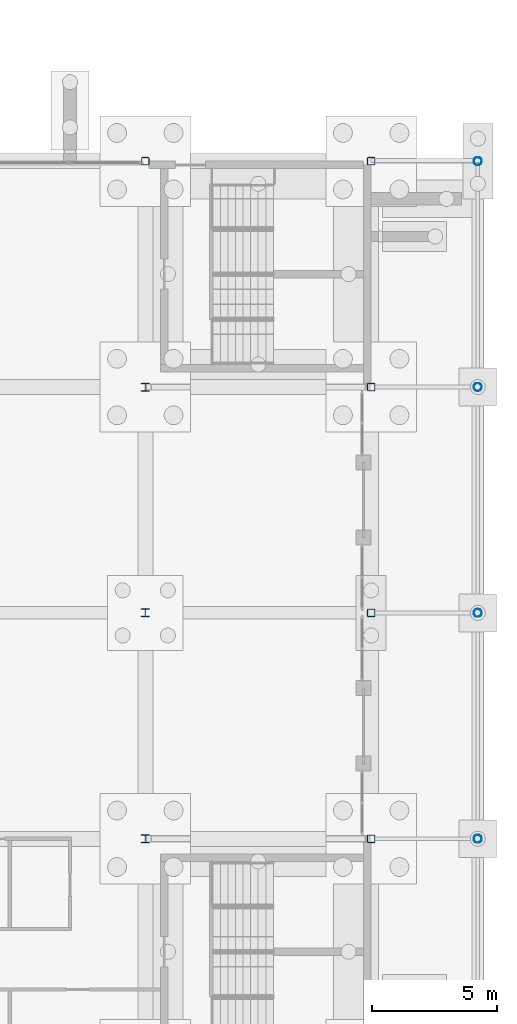
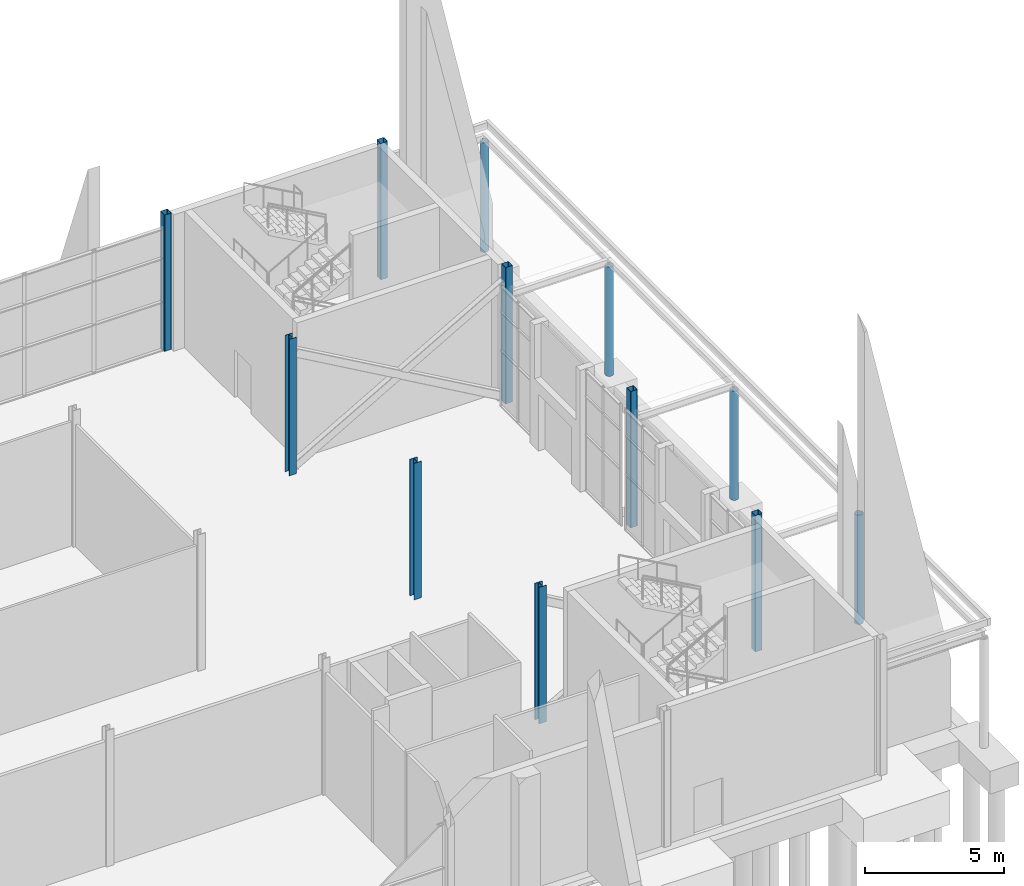
# One storey, part 36 of 139: 12 columns.
"""IFC4 building model written with IfcOpenShell, lengths in metres."""

from ifc_helpers import new_model, si_unit, direction, frame, origin, origin_2d, place, context, subcontext, project, spatial, hollow_rectangle, hollow_circle, i_section, extrude, material, material_profile, profile_set, type_object, element, save


model = new_model("IFC4")

# Units and contexts
model_context = context("Model", 3, precision=1e-05, world=origin(), true_north=direction((0.0, 1.0)))
body_context = subcontext(model_context, "Body", "Model", "MODEL_VIEW")
ifc_project = project(units=[si_unit("LENGTHUNIT", "METRE"), si_unit("AREAUNIT", "SQUARE_METRE"), si_unit("VOLUMEUNIT", "CUBIC_METRE"), si_unit("PLANEANGLEUNIT", "RADIAN"), si_unit("MASSUNIT", "GRAM", prefix="KILO")], contexts=[model_context])

# Site, building, storey
site_placement = place(None, origin())
site = spatial("IfcSite", under=ifc_project, at=site_placement, CompositionType="ELEMENT")
building_placement = place(site_placement, origin())
building = spatial("IfcBuilding", under=site, at=building_placement, Name="Shorebreak Coast Museum", CompositionType="ELEMENT")
storey_placement = place(building_placement, origin())
storey = spatial("IfcBuildingStorey", under=building, at=storey_placement, Name="L00", CompositionType="ELEMENT", Elevation=0.0)

# Columns
ifc_material_1 = material(Name="Steel Grade C350L0", Category="steel")
ifc_material_profile_1 = material_profile(ifc_material_1, hollow_circle(Radius=0.161865234375, WallThickness=0.009521484375, at=origin_2d()), Name="323.9x9.5 CHS")
ifc_profile_set_1 = profile_set([ifc_material_profile_1], Name="Steel Grade C350L0")
column_type_1 = type_object("IfcColumnType", Name="Arcade column 323.9x9.5 CHS", PredefinedType="COLUMN", material=ifc_profile_set_1)
for number, where, z_axis, x_axis, name in (
    (1, (175.25, 63.0, -0.300048828125), (0.0, 0.0, 1.0), (1.0, 0.0, 0.0), "Arcade column east 2"),
    (2, (175.25, 72.0, -0.300048828125), (0.0, 0.0, 1.0), (1.0, 0.0, 0.0), "Arcade column east 3"),
    (3, (175.25, 81.0, -0.300048828125), (0.0, 0.0, 1.0), (1.0, 0.0, 0.0), "Arcade column east 4"),
    (4, (175.25, 90.0, -0.300048828125), (0.0, 0.0, 1.0), (1.0, 0.0, 0.0), "Arcade column east 5"),
):
    element("IfcColumn", number, at=place(storey_placement, frame(where, z_axis=z_axis, x_axis=x_axis)), inside=storey, type_object=column_type_1, Name=name, PredefinedType="COLUMN", context=body_context, shape_type="SweptSolid", body=[
        extrude(hollow_circle(Radius=0.161865234375, WallThickness=0.009521484375, at=origin_2d()), origin(), (0.0, 0.0, 1.0), 4.802001953125),
    ])
ifc_material_2 = material(Name="Steel Grade C450L0", Category="steel")
ifc_material_profile_2 = material_profile(ifc_material_2, hollow_rectangle(XDim=0.300048828125, YDim=0.300048828125, WallThickness=0.012451171875, InnerFilletRadius=0.018798828125, OuterFilletRadius=0.03125, at=origin_2d()), Name="300x300x12.5 SHS")
ifc_profile_set_2 = profile_set([ifc_material_profile_2], Name="Steel Grade C450L0")
column_type_2 = type_object("IfcColumnType", Name="Column 300x300x12.5 SHS", PredefinedType="COLUMN", material=ifc_profile_set_2)
for number, where, z_axis, x_axis, name in (
    (5, (171.0, 63.0, 0.0), (0.0, 0.0, 1.0), (1.0, 0.0, 0.0), "Column L00 20H"),
    (6, (171.0, 72.0, 0.0), (0.0, 0.0, 1.0), (1.0, 0.0, 0.0), "Column L00 20J"),
    (7, (171.0, 81.0, 0.0), (0.0, 0.0, 1.0), (1.0, 0.0, 0.0), "Column L00 20K"),
    (8, (162.0, 90.0, 0.0), (0.0, 0.0, 1.0), (1.0, 0.0, 0.0), "Column L00 19L"),
    (9, (171.0, 90.0, 0.0), (0.0, 0.0, 1.0), (1.0, 0.0, 0.0), "Column L00 20L"),
):
    element("IfcColumn", number, at=place(storey_placement, frame(where, z_axis=z_axis, x_axis=x_axis)), inside=storey, type_object=column_type_2, Name=name, PredefinedType="COLUMN", context=body_context, shape_type="SweptSolid", body=[
        extrude(hollow_rectangle(XDim=0.300048828125, YDim=0.300048828125, WallThickness=0.012451171875, InnerFilletRadius=0.018798828125, OuterFilletRadius=0.03125, at=origin_2d()), origin(), (0.0, 0.0, 1.0), 6.0),
    ])
ifc_material_3 = material(Name="Steel Grade 300", Category="steel")
ifc_material_profile_3 = material_profile(ifc_material_3, i_section(OverallWidth=0.30908203125, OverallDepth=0.320556640625, WebThickness=0.013916015625, FlangeThickness=0.021728515625, FilletRadius=0.0166015625, at=origin_2d()), Name="310UC137")
ifc_profile_set_3 = profile_set([ifc_material_profile_3], Name="Steel Grade 300")
column_type_3 = type_object("IfcColumnType", Name="Column 310UC137", PredefinedType="COLUMN", material=ifc_profile_set_3)
for number, where, z_axis, x_axis, name in (
    (10, (162.0, 63.0, 0.0), (0.0, 0.0, 1.0), (1.0, 0.0, 0.0), "Column L00 19H"),
    (11, (162.0, 72.0, 0.0), (0.0, 0.0, 1.0), (1.0, 0.0, 0.0), "Column L00 19J"),
    (12, (162.0, 81.0, 0.0), (0.0, 0.0, 1.0), (1.0, 0.0, 0.0), "Column L00 19K"),
):
    element("IfcColumn", number, at=place(storey_placement, frame(where, z_axis=z_axis, x_axis=x_axis)), inside=storey, type_object=column_type_3, Name=name, PredefinedType="COLUMN", context=body_context, shape_type="SweptSolid", body=[
        extrude(i_section(OverallWidth=0.30908203125, OverallDepth=0.320556640625, WebThickness=0.013916015625, FlangeThickness=0.021728515625, FilletRadius=0.0166015625, at=origin_2d()), origin(), (0.0, 0.0, 1.0), 6.0),
    ])

save(model, "model.ifc")
